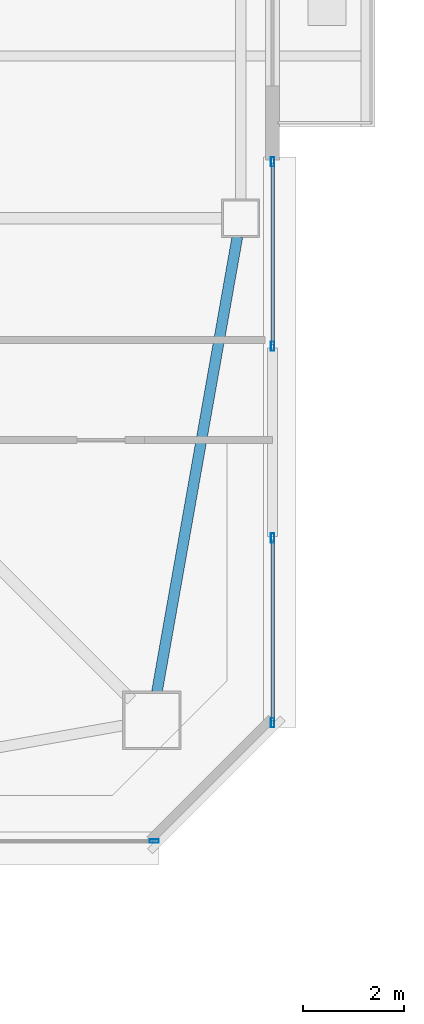
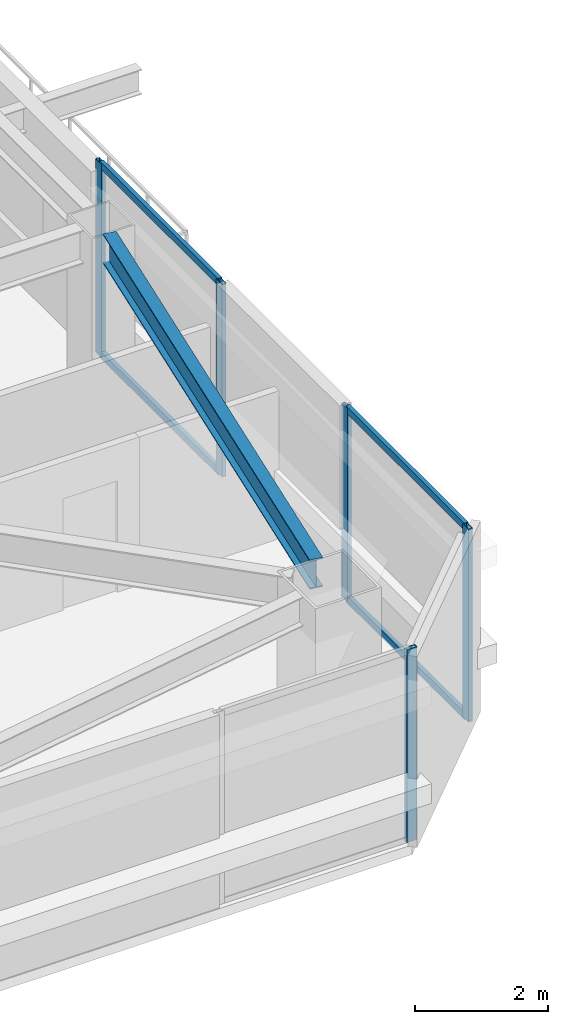
# One storey, part 9 of 41: 9 members, 1 beam, 3 elements without a shape of their own.
"""IFC4 building model written with IfcOpenShell, lengths in metres."""

from ifc_helpers import new_model, si_unit, direction, frame, origin, origin_2d, place, context, subcontext, project, spatial, hollow_rectangle, i_section, extrude, material, material_profile, profile_set, type_object, element, aggregate, save


model = new_model("IFC4")

# Units and contexts
model_context = context("Model", 3, precision=1e-05, world=origin(), true_north=direction((0.0, 1.0)))
body_context = subcontext(model_context, "Body", "Model", "MODEL_VIEW")
ifc_project = project(units=[si_unit("LENGTHUNIT", "METRE"), si_unit("AREAUNIT", "SQUARE_METRE"), si_unit("VOLUMEUNIT", "CUBIC_METRE"), si_unit("PLANEANGLEUNIT", "RADIAN"), si_unit("MASSUNIT", "GRAM", prefix="KILO")], contexts=[model_context])

# Site, building, storey
site_placement = place(None, origin())
site = spatial("IfcSite", under=ifc_project, at=site_placement, CompositionType="ELEMENT")
building_placement = place(site_placement, origin())
building = spatial("IfcBuilding", under=site, at=building_placement, Name="Tashvorn Skyway Center", CompositionType="ELEMENT")
storey_placement = place(building_placement, frame((0.0, 0.0, 171.199951171875)))
storey = spatial("IfcBuildingStorey", under=building, at=storey_placement, Name="L46", CompositionType="ELEMENT", Elevation=171.199951171875)

# Beam
ifc_material_1 = material(Name="Steel ASTM A992 Grade 50", Category="steel")
ifc_material_profile_1 = material_profile(ifc_material_1, i_section(OverallWidth=0.2109375, OverallDepth=0.5390625, WebThickness=0.01171875, FlangeThickness=0.018798828125, at=origin_2d()), Name="W21X73")
ifc_profile_set_1 = profile_set([ifc_material_profile_1], Name="Steel ASTM A992 Grade 50")
beam_type = type_object("IfcBeamType", Name="BM-SPANDREL-W21X73", PredefinedType="SPANDREL", material=ifc_profile_set_1)
beam_placement = place(storey_placement, frame((57.399169921875, 17.26123046875, 3.1005859375), z_axis=(0.174074160933, 0.984732545667, 0.0), x_axis=(-0.984732545667, 0.174074160933, 0.0)))
element("IfcBeam", 1, at=beam_placement, inside=storey, type_object=beam_type, Name="Tower 1 L46 Spandrel Beam 04", PredefinedType="SPANDREL", context=body_context, shape_type="SweptSolid", body=[
    extrude(i_section(OverallWidth=0.2109375, OverallDepth=0.5390625, WebThickness=0.01171875, FlangeThickness=0.018798828125, at=origin_2d()), origin(), (0.0, 0.0, 1.0), 9.113525390625),
])

# Curtain wall, member
ifc_material_2 = material(Name="Thermally broken bronze-anodized aluminium 6063-T6", Category="aluminium")
curtain_wall_type = type_object("IfcCurtainWallType", Name="CW-CW-Z4", PredefinedType="NOTDEFINED", material=ifc_material_2)
curtain_wall_1_placement = place(storey_placement, origin())
curtain_wall_1 = element("IfcCurtainWall", 2, at=curtain_wall_1_placement, inside=storey, type_object=curtain_wall_type, Name="Tower 1 L46 South Unitised Curtain Wall Glazing Group 1", PredefinedType="NOTDEFINED")
ifc_material_profile_2 = material_profile(ifc_material_2, hollow_rectangle(XDim=0.070068359375, YDim=0.179931640625, WallThickness=0.00390625, at=origin_2d()), Name="ALU-MULL-70x180")
ifc_profile_set_2 = profile_set([ifc_material_profile_2], Name="Thermally broken bronze-anodized aluminium 6063-T6")
member_type_1 = type_object("IfcMemberType", Name="CWM-CW-Z4", PredefinedType="MULLION", material=ifc_profile_set_2)
member_1_placement = place(storey_placement, frame((57.344970703125, 14.320068359375, 0.0), z_axis=(0.0, 0.0, 1.0), x_axis=(0.0, -1.0, 0.0)))
member_1 = element("IfcMember", 3, at=member_1_placement, type_object=member_type_1, Name="CW-Z4 mullion 1", PredefinedType="MULLION", context=body_context, shape_type="SweptSolid", body=[
    extrude(hollow_rectangle(XDim=0.070068359375, YDim=0.179931640625, WallThickness=0.00390625, at=origin_2d()), origin(), (0.0, 0.0, 1.0), 3.550048828125),
])
aggregate(curtain_wall_1, [member_1])

# Curtain wall, members
curtain_wall_2_placement = place(storey_placement, origin())
curtain_wall_2 = element("IfcCurtainWall", 4, at=curtain_wall_2_placement, inside=storey, type_object=curtain_wall_type, Name="Tower 1 L46 East Curtain Wall R Glazing Group 1", PredefinedType="NOTDEFINED")
member_2_placement = place(storey_placement, frame((59.679931640625, 27.715087890625, 0.0), z_axis=(0.0, 0.0, 1.0), x_axis=(1.0, 0.0, 0.0)))
member_2 = element("IfcMember", 5, at=member_2_placement, type_object=member_type_1, Name="CW-Z4 mullion 1", PredefinedType="MULLION", context=body_context, shape_type="SweptSolid", body=[
    extrude(hollow_rectangle(XDim=0.070068359375, YDim=0.179931640625, WallThickness=0.00390625, at=origin_2d()), origin(), (0.0, 0.0, 1.0), 3.550048828125),
])
member_3_placement = place(storey_placement, frame((59.679931640625, 24.074951171875, 0.0), z_axis=(0.0, 0.0, 1.0), x_axis=(1.0, 0.0, 0.0)))
member_3 = element("IfcMember", 6, at=member_3_placement, type_object=member_type_1, Name="CW-Z4 mullion 2", PredefinedType="MULLION", context=body_context, shape_type="SweptSolid", body=[
    extrude(hollow_rectangle(XDim=0.070068359375, YDim=0.179931640625, WallThickness=0.00390625, at=origin_2d()), origin(), (0.0, 0.0, 1.0), 3.550048828125),
])

curtain_wall_3_placement = place(storey_placement, origin())
curtain_wall_3 = element("IfcCurtainWall", 7, at=curtain_wall_3_placement, inside=storey, type_object=curtain_wall_type, Name="Tower 1 L46 East Curtain Wall R Glazing Group 2", PredefinedType="NOTDEFINED")
member_4_placement = place(storey_placement, frame((59.679931640625, 20.294921875, 0.0), z_axis=(0.0, 0.0, 1.0), x_axis=(1.0, 0.0, 0.0)))
member_4 = element("IfcMember", 8, at=member_4_placement, type_object=member_type_1, Name="CW-Z4 mullion 1", PredefinedType="MULLION", context=body_context, shape_type="SweptSolid", body=[
    extrude(hollow_rectangle(XDim=0.070068359375, YDim=0.179931640625, WallThickness=0.00390625, at=origin_2d()), origin(), (0.0, 0.0, 1.0), 3.550048828125),
])
member_5_placement = place(storey_placement, frame((59.679931640625, 16.655029296875, 0.0), z_axis=(0.0, 0.0, 1.0), x_axis=(1.0, 0.0, 0.0)))
member_5 = element("IfcMember", 9, at=member_5_placement, type_object=member_type_1, Name="CW-Z4 mullion 2", PredefinedType="MULLION", context=body_context, shape_type="SweptSolid", body=[
    extrude(hollow_rectangle(XDim=0.070068359375, YDim=0.179931640625, WallThickness=0.00390625, at=origin_2d()), origin(), (0.0, 0.0, 1.0), 3.550048828125),
])

# Member
ifc_material_profile_3 = material_profile(ifc_material_2, hollow_rectangle(XDim=0.070068359375, YDim=0.1298828125, WallThickness=0.00390625, at=origin_2d()), Name="ALU-TRAN-70x130")
ifc_profile_set_3 = profile_set([ifc_material_profile_3], Name="Thermally broken bronze-anodized aluminium 6063-T6")
member_type_2 = type_object("IfcMemberType", Name="CWT-CW-Z4", PredefinedType="USERDEFINED", material=ifc_profile_set_3)
member_6_placement = place(storey_placement, frame((59.679931640625, 27.679931640625, 0.03515625), z_axis=(0.0, -1.0, 0.0), x_axis=(1.0, 0.0, 0.0)))
member_6 = element("IfcMember", 10, at=member_6_placement, type_object=member_type_2, Name="CW-Z4 transom 1.1", ObjectType="TRANSOM", PredefinedType="USERDEFINED", context=body_context, shape_type="SweptSolid", body=[
    extrude(hollow_rectangle(XDim=0.070068359375, YDim=0.1298828125, WallThickness=0.00390625, at=origin_2d()), origin(), (0.0, 0.0, 1.0), 3.56982421875),
])

member_7_placement = place(storey_placement, frame((59.679931640625, 27.679931640625, 3.51513671875), z_axis=(0.0, -1.0, 0.0), x_axis=(1.0, 0.0, 0.0)))
member_7 = element("IfcMember", 11, at=member_7_placement, type_object=member_type_2, Name="CW-Z4 transom 1.2", ObjectType="TRANSOM", PredefinedType="USERDEFINED", context=body_context, shape_type="SweptSolid", body=[
    extrude(hollow_rectangle(XDim=0.070068359375, YDim=0.1298828125, WallThickness=0.00390625, at=origin_2d()), origin(), (0.0, 0.0, 1.0), 3.56982421875),
])

aggregate(curtain_wall_2, [member_2, member_3, member_6, member_7])

member_8_placement = place(storey_placement, frame((59.679931640625, 20.260009765625, 0.03515625), z_axis=(0.0, -1.0, 0.0), x_axis=(1.0, 0.0, 0.0)))
member_8 = element("IfcMember", 12, at=member_8_placement, type_object=member_type_2, Name="CW-Z4 transom 1.1", ObjectType="TRANSOM", PredefinedType="USERDEFINED", context=body_context, shape_type="SweptSolid", body=[
    extrude(hollow_rectangle(XDim=0.070068359375, YDim=0.1298828125, WallThickness=0.00390625, at=origin_2d()), origin(), (0.0, 0.0, 1.0), 3.570068359375),
])

member_9_placement = place(storey_placement, frame((59.679931640625, 20.260009765625, 3.51513671875), z_axis=(0.0, -1.0, 0.0), x_axis=(1.0, 0.0, 0.0)))
member_9 = element("IfcMember", 13, at=member_9_placement, type_object=member_type_2, Name="CW-Z4 transom 1.2", ObjectType="TRANSOM", PredefinedType="USERDEFINED", context=body_context, shape_type="SweptSolid", body=[
    extrude(hollow_rectangle(XDim=0.070068359375, YDim=0.1298828125, WallThickness=0.00390625, at=origin_2d()), origin(), (0.0, 0.0, 1.0), 3.570068359375),
])

aggregate(curtain_wall_3, [member_4, member_5, member_8, member_9])

save(model, "model.ifc")
